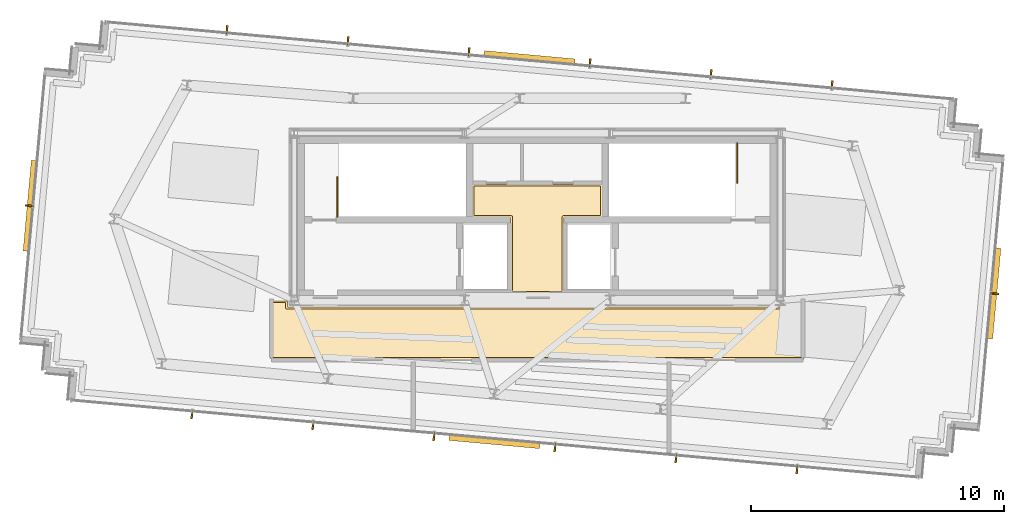
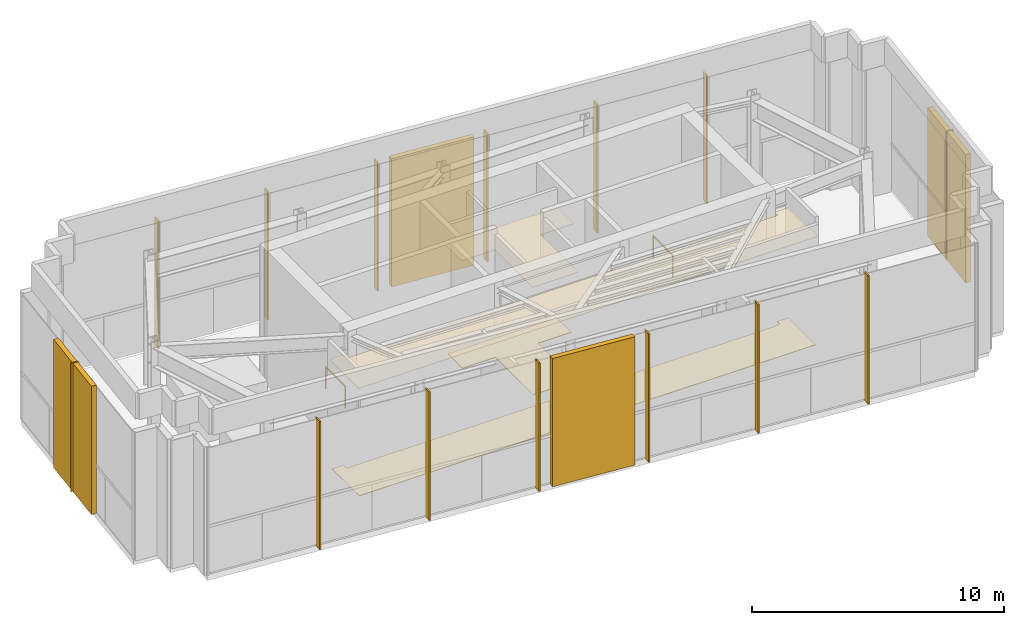
# One storey, part 17 of 18: 18 shading devices, 4 coverings, 2 railings.
"""IFC4 building model written with IfcOpenShell, lengths in metres."""

import ifcopenshell
import ifcopenshell.guid

model = None  # the IFC model being written
_history = None  # IfcOwnerHistory: only IFC2X3 demands one
_inside = {}  # id of a spatial element -> (the spatial element, [elements in it])
_under = {}  # id of a project, library or spatial element -> (it, [spatial elements below it])
_declared = {}  # id of a project -> (the project, [libraries it declares])
_typed = {}  # id of a type object -> (the type object, [elements of that type])
_made_of = {}  # id of a material, layer set ... -> (it, [elements and type objects made of it])


def new_model(schema):
    """Start an empty IFC model of exactly this schema.

    Asked for "IFC4X3", IfcOpenShell would pick the latest addendum, in which some entities
    have other attributes; the version numbers below select the first issue.
    IFC2X3 requires an IfcOwnerHistory on every rooted entity: one is made here for all.
    """
    global model, _history
    if schema == "IFC4X3":
        model = ifcopenshell.file(schema_version=(4, 3, 0, 0))
    else:
        model = ifcopenshell.file(schema=schema)
    _inside.clear()
    _under.clear()
    _declared.clear()
    _typed.clear()
    _made_of.clear()
    _history = None
    if model.schema == "IFC2X3":
        org = make("IfcOrganization", Name="unknown")
        user = make(
            "IfcPersonAndOrganization",
            ThePerson=make("IfcPerson", FamilyName="unknown"),
            TheOrganization=org,
        )
        app = make(
            "IfcApplication",
            ApplicationDeveloper=org,
            Version="unknown",
            ApplicationFullName="unknown",
            ApplicationIdentifier="unknown",
        )
        _history = make(
            "IfcOwnerHistory",
            OwningUser=user,
            OwningApplication=app,
            ChangeAction="ADDED",
            CreationDate=0,
        )
    return model


def make(cls, **values):
    """One entity of the class cls with the attributes given. An attribute that is None is left unset."""
    return model.create_entity(
        cls, **{name: value for name, value in values.items() if value is not None}
    )


def rooted(cls, **values):
    """An entity with a GlobalId (a new one), such as an element, a storey or a relation."""
    return make(cls, GlobalId=ifcopenshell.guid.new(), OwnerHistory=_history, **values)


def si_unit(unit_type, name, prefix=None):
    """IfcSIUnit, for example si_unit("LENGTHUNIT", "METRE", prefix="MILLI")."""
    return make("IfcSIUnit", UnitType=unit_type, Prefix=prefix, Name=name)


def assignment(units):
    """IfcUnitAssignment: the units of a project."""
    return None if units is None else make("IfcUnitAssignment", Units=units)


def point(xyz):
    """IfcCartesianPoint."""
    return None if xyz is None else make("IfcCartesianPoint", Coordinates=xyz)


def direction(xyz):
    """IfcDirection."""
    return None if xyz is None else make("IfcDirection", DirectionRatios=xyz)


def frame(location, z_axis=None, x_axis=None):
    """IfcAxis2Placement3D, a coordinate frame: its origin and axes. An axis left out is left unset."""
    return make(
        "IfcAxis2Placement3D",
        Location=point(location),
        Axis=direction(z_axis),
        RefDirection=direction(x_axis),
    )


def frame_2d(location, x_axis=None):
    """IfcAxis2Placement2D, a coordinate frame in the plane: its origin and x axis."""
    return make(
        "IfcAxis2Placement2D", Location=point(location), RefDirection=direction(x_axis)
    )


def origin():
    """The frame at (0, 0, 0) with its axes left unset."""
    return frame((0.0, 0.0, 0.0))


def origin_2d():
    """The frame at (0, 0) in the plane with its x axis left unset."""
    return frame_2d((0.0, 0.0))


def place(relative_to, where):
    """IfcLocalPlacement: puts the frame where relative to a parent placement (None: the world)."""
    return make(
        "IfcLocalPlacement", PlacementRelTo=relative_to, RelativePlacement=where
    )


def context(
    kind, dimensions, precision=None, world=None, true_north=None, identifier=None
):
    """IfcGeometricRepresentationContext, for example the 3D "Model" context."""
    return make(
        "IfcGeometricRepresentationContext",
        ContextIdentifier=identifier,
        ContextType=kind,
        CoordinateSpaceDimension=dimensions,
        Precision=precision,
        WorldCoordinateSystem=world,
        TrueNorth=true_north,
    )


def subcontext(parent, identifier, kind, view, scale=None):
    """IfcGeometricRepresentationSubContext, for example "Body" below "Model"."""
    return make(
        "IfcGeometricRepresentationSubContext",
        ContextIdentifier=identifier,
        ContextType=kind,
        ParentContext=parent,
        TargetScale=scale,
        TargetView=view,
    )


def project(units=None, contexts=None):
    """IfcProject with its units and contexts."""
    return rooted(
        "IfcProject",
        Name="project",
        RepresentationContexts=contexts,
        UnitsInContext=assignment(units),
    )


def spatial(cls, under=None, at=None, **own):
    """A site, building, storey or space (cls), placed at a placement, below another one or the project."""
    s = rooted(cls, ObjectPlacement=at, **own)
    if under is not None:
        _under.setdefault(under.id(), (under, []))[1].append(s)
    return s


def polyline(points):
    """IfcPolyline through the points."""
    return make("IfcPolyline", Points=[point(p) for p in points])


def profile(cls, at=None, kind="AREA", **sizes):
    """A parametric profile (cls). Its sizes go by their IFC names, for example OverallWidth=200.0."""
    return make(cls, ProfileType=kind, Position=at, **sizes)


def rectangle(**sizes):
    """IfcRectangleProfileDef."""
    return profile("IfcRectangleProfileDef", **sizes)


def outline(outer, holes=None, kind="AREA"):
    """IfcArbitraryClosedProfileDef: a profile drawn as a closed curve; with holes, ...WithVoids."""
    if holes is None:
        return make("IfcArbitraryClosedProfileDef", ProfileType=kind, OuterCurve=outer)
    return make(
        "IfcArbitraryProfileDefWithVoids",
        ProfileType=kind,
        OuterCurve=outer,
        InnerCurves=holes,
    )


def extrude(swept, where, along, depth):
    """IfcExtrudedAreaSolid: the profile swept, set in the frame where, extruded along a direction by depth."""
    return make(
        "IfcExtrudedAreaSolid",
        SweptArea=swept,
        Position=where,
        ExtrudedDirection=direction(along),
        Depth=depth,
    )


def shape(context_of_items, identifier, shape_type, items):
    """IfcShapeRepresentation: the items that make up one representation, for example the "Body"."""
    return make(
        "IfcShapeRepresentation",
        ContextOfItems=context_of_items,
        RepresentationIdentifier=identifier,
        RepresentationType=shape_type,
        Items=items,
    )


def source(mapping_origin, context_of_items, identifier, shape_type, items):
    """IfcRepresentationMap: a shape defined once, which mapped items show again and again."""
    return make(
        "IfcRepresentationMap",
        MappingOrigin=mapping_origin,
        MappedRepresentation=shape(context_of_items, identifier, shape_type, items),
    )


def transform(
    local_origin,
    x_axis=None,
    y_axis=None,
    z_axis=None,
    scale=None,
    scale2=None,
    scale3=None,
    uniform=True,
):
    """IfcCartesianTransformationOperator3D, or its non-uniform kind. x_axis, y_axis, z_axis: its Axis1, 2, 3."""
    if uniform:
        return make(
            "IfcCartesianTransformationOperator3D",
            Axis1=direction(x_axis),
            Axis2=direction(y_axis),
            LocalOrigin=point(local_origin),
            Scale=scale,
            Axis3=direction(z_axis),
        )
    return make(
        "IfcCartesianTransformationOperator3DnonUniform",
        Axis1=direction(x_axis),
        Axis2=direction(y_axis),
        LocalOrigin=point(local_origin),
        Scale=scale,
        Axis3=direction(z_axis),
        Scale2=scale2,
        Scale3=scale3,
    )


def mapped(mapping_source, mapping_target):
    """IfcMappedItem: shows the shape of a source again, moved by a transform."""
    return make(
        "IfcMappedItem", MappingSource=mapping_source, MappingTarget=mapping_target
    )


def material(Name=None, Category=None):
    """IfcMaterial."""
    return make("IfcMaterial", Name=Name, Category=Category)


def layer(
    of_material, thickness, ventilated=None, Name=None, Category=None, Priority=None
):
    """IfcMaterialLayer: one layer of a wall or slab, of a material (None: an air gap)."""
    return make(
        "IfcMaterialLayer",
        Material=of_material,
        LayerThickness=thickness,
        IsVentilated=ventilated,
        Name=Name,
        Category=Category,
        Priority=Priority,
    )


def layer_set(layers, Name=None):
    """IfcMaterialLayerSet."""
    return make("IfcMaterialLayerSet", MaterialLayers=layers, LayerSetName=Name)


def made_of(thing, what):
    """Note that an element or type object is made of a material, layer set ...; save() writes the relation."""
    if what is not None:
        _made_of.setdefault(what.id(), (what, []))[1].append(thing)
    return thing


def type_object(cls, material=None, **own):
    """A type object (cls), such as IfcWallType, which elements share."""
    return made_of(rooted(cls, **own), material)


def type_shapes(of_type, sources):
    """Give a type object the sources (RepresentationMaps) that its elements show as mapped items."""
    of_type.RepresentationMaps = sources


def element(
    cls,
    number,
    at=None,
    inside=None,
    cuts=None,
    type_object=None,
    material=None,
    context=None,
    identifier="Body",
    shape_type=None,
    held_by="IfcProductDefinitionShape",
    body=None,
    shapes=None,
    **own,
):
    """One element of the class cls, such as IfcWall. Its Tag is "e" and its number.

    at: its placement. inside: the storey or other place that contains it. cuts: it is an
    opening in that element (IfcRelVoidsElement). A single representation is given by context,
    identifier, shape_type and body (its items); several are given by shapes. held_by: the class
    of the entity that holds the representations. save() writes the other relations.
    """
    e = rooted(cls, Tag="e%d" % number, ObjectPlacement=at, **own)
    if body is not None:
        shapes = [shape(context, identifier, shape_type, body)]
    if shapes is not None:
        e.Representation = make(held_by, Representations=shapes)
    if inside is not None:
        _inside.setdefault(inside.id(), (inside, []))[1].append(e)
    if cuts is not None:
        rooted(
            "IfcRelVoidsElement", RelatingBuildingElement=cuts, RelatedOpeningElement=e
        )
    if type_object is not None:
        _typed.setdefault(type_object.id(), (type_object, []))[1].append(e)
    return made_of(e, material)


def aggregate(whole, parts):
    """IfcRelAggregates: a whole, such as a stair, and the parts it consists of."""
    return rooted("IfcRelAggregates", RelatingObject=whole, RelatedObjects=parts)


def save(model, path):
    """Write the relations noted so far, then the file.

    IfcRelAggregates (storeys below a building ...), IfcRelContainedInSpatialStructure (elements
    in a storey), IfcRelDefinesByType, IfcRelAssociatesMaterial and IfcRelDeclares: one each for
    every whole, place, type object, material and project.
    """
    for whole, parts in _under.values():
        aggregate(whole, parts)
    for where, things in _inside.values():
        rooted(
            "IfcRelContainedInSpatialStructure",
            RelatedElements=things,
            RelatingStructure=where,
        )
    for kind, things in _typed.values():
        rooted("IfcRelDefinesByType", RelatedObjects=things, RelatingType=kind)
    for what, things in _made_of.values():
        rooted("IfcRelAssociatesMaterial", RelatedObjects=things, RelatingMaterial=what)
    for by, libraries in _declared.values():
        rooted("IfcRelDeclares", RelatingContext=by, RelatedDefinitions=libraries)
    model.write(path)


model = new_model("IFC4")

# Units and contexts
model_context = context("Model", 3, precision=1e-05, world=origin(), true_north=direction((0.0, 1.0)))
body_context = subcontext(model_context, "Body", "Model", "MODEL_VIEW")
ifc_project = project(units=[si_unit("LENGTHUNIT", "METRE"), si_unit("AREAUNIT", "SQUARE_METRE"), si_unit("VOLUMEUNIT", "CUBIC_METRE"), si_unit("PLANEANGLEUNIT", "RADIAN"), si_unit("MASSUNIT", "GRAM", prefix="KILO")], contexts=[model_context])

# Site, building, storey
site_placement = place(None, origin())
site = spatial("IfcSite", under=ifc_project, at=site_placement, CompositionType="ELEMENT")
building_placement = place(site_placement, origin())
building = spatial("IfcBuilding", under=site, at=building_placement, Name="Astriad Promenade Condominiums", CompositionType="ELEMENT")
storey_placement = place(building_placement, frame((0.0, 0.0, 290.300048828125)))
storey = spatial("IfcBuildingStorey", under=building, at=storey_placement, Name="L80", CompositionType="ELEMENT", Elevation=290.300048828125)

# Coverings
ifc_material_1 = material(Name="Mineral-Fibre Acoustic Ceiling Tile")
ifc_layer_1 = layer(ifc_material_1, 0.02490234375)
ifc_layer_set_1 = layer_set([ifc_layer_1], Name="Mineral-Fibre Acoustic Ceiling Tile")
covering_type_1 = type_object("IfcCoveringType", Name="COV-CEIL-ACOUSTIC-25", PredefinedType="CEILING", material=ifc_layer_set_1)
covering_1_placement = place(storey_placement, frame((0.0, 0.0, 5.27490234375)))
element("IfcCovering", 1, at=covering_1_placement, inside=storey, type_object=covering_type_1, Name="CEIL-L80-CSL", PredefinedType="CEILING", context=body_context, shape_type="SweptSolid", body=[
    extrude(outline(polyline([(37.050048828125, 17.699951171875), (37.0498046875, 17.697021484375), (37.04931640625, 17.694091796875), (37.048583984375, 17.69140625), (37.047607421875, 17.6884765625), (37.04638671875, 17.685791015625), (37.044921875, 17.683349609375), (37.043212890625, 17.680908203125), (37.041259765625, 17.6787109375), (37.0390625, 17.6767578125), (37.03662109375, 17.675048828125), (37.0341796875, 17.673583984375), (37.031494140625, 17.67236328125), (37.02880859375, 17.67138671875), (37.02587890625, 17.670654296875), (37.02294921875, 17.670166015625), (37.02001953125, 17.669921875), (34.97998046875, 17.669921875), (34.97705078125, 17.670166015625), (34.97412109375, 17.670654296875), (34.97119140625, 17.67138671875), (34.968505859375, 17.67236328125), (34.9658203125, 17.673583984375), (34.96337890625, 17.675048828125), (34.9609375, 17.6767578125), (34.958740234375, 17.6787109375), (34.956787109375, 17.680908203125), (34.955078125, 17.683349609375), (34.95361328125, 17.685791015625), (34.952392578125, 17.6884765625), (34.951416015625, 17.69140625), (34.95068359375, 17.694091796875), (34.9501953125, 17.697021484375), (34.949951171875, 17.699951171875), (34.949951171875, 20.669921875), (33.4599609375, 20.669921875), (33.45703125, 20.670166015625), (33.4541015625, 20.670654296875), (33.451416015625, 20.67138671875), (33.448486328125, 20.67236328125), (33.44580078125, 20.673583984375), (33.443359375, 20.675048828125), (33.44091796875, 20.6767578125), (33.438720703125, 20.6787109375), (33.436767578125, 20.680908203125), (33.43505859375, 20.683349609375), (33.43359375, 20.685791015625), (33.432373046875, 20.6884765625), (33.431396484375, 20.69140625), (33.4306640625, 20.694091796875), (33.43017578125, 20.697021484375), (33.429931640625, 20.699951171875), (33.429931640625, 21.949951171875), (33.43017578125, 21.952880859375), (33.4306640625, 21.955810546875), (33.431396484375, 21.958740234375), (33.432373046875, 21.96142578125), (33.43359375, 21.964111328125), (33.43505859375, 21.966796875), (33.436767578125, 21.968994140625), (33.438720703125, 21.97119140625), (33.44091796875, 21.97314453125), (33.443359375, 21.974853515625), (33.44580078125, 21.9765625), (33.448486328125, 21.977783203125), (33.451416015625, 21.978759765625), (33.4541015625, 21.9794921875), (33.45703125, 21.97998046875), (33.4599609375, 21.97998046875), (38.5400390625, 21.97998046875), (38.54296875, 21.97998046875), (38.5458984375, 21.9794921875), (38.548583984375, 21.978759765625), (38.551513671875, 21.977783203125), (38.55419921875, 21.9765625), (38.556640625, 21.974853515625), (38.55908203125, 21.97314453125), (38.561279296875, 21.97119140625), (38.563232421875, 21.968994140625), (38.56494140625, 21.966796875), (38.56640625, 21.964111328125), (38.567626953125, 21.96142578125), (38.568603515625, 21.958740234375), (38.5693359375, 21.955810546875), (38.56982421875, 21.952880859375), (38.570068359375, 21.949951171875), (38.570068359375, 20.699951171875), (38.56982421875, 20.697021484375), (38.5693359375, 20.694091796875), (38.568603515625, 20.69140625), (38.567626953125, 20.6884765625), (38.56640625, 20.685791015625), (38.56494140625, 20.683349609375), (38.563232421875, 20.680908203125), (38.561279296875, 20.6787109375), (38.55908203125, 20.6767578125), (38.556640625, 20.675048828125), (38.55419921875, 20.673583984375), (38.551513671875, 20.67236328125), (38.548583984375, 20.67138671875), (38.5458984375, 20.670654296875), (38.54296875, 20.670166015625), (38.5400390625, 20.669921875), (37.050048828125, 20.669921875), (37.050048828125, 17.699951171875)])), origin(), (0.0, 0.0, 1.0), 0.025146484375),
])
covering_2_placement = place(storey_placement, frame((0.0, 0.0, 5.27490234375)))
element("IfcCovering", 2, at=covering_2_placement, inside=storey, type_object=covering_type_1, Name="CEIL-L80-COR", PredefinedType="CEILING", context=body_context, shape_type="SweptSolid", body=[
    extrude(outline(polyline([(26.1298828125, 17.1298828125), (45.8701171875, 17.1298828125), (45.8701171875, 17.35009765625), (45.8701171875, 17.352783203125), (45.87060546875, 17.35595703125), (45.871337890625, 17.358642578125), (45.872314453125, 17.361572265625), (45.87353515625, 17.364013671875), (45.875, 17.36669921875), (45.876708984375, 17.368896484375), (45.87890625, 17.37109375), (45.881103515625, 17.373291015625), (45.88330078125, 17.375), (45.885986328125, 17.37646484375), (45.888427734375, 17.377685546875), (45.891357421875, 17.378662109375), (45.89404296875, 17.37939453125), (45.897216796875, 17.3798828125), (45.89990234375, 17.3798828125), (46.5, 17.3798828125), (46.5029296875, 17.3798828125), (46.505859375, 17.37939453125), (46.5087890625, 17.378662109375), (46.511474609375, 17.377685546875), (46.51416015625, 17.37646484375), (46.5166015625, 17.375), (46.51904296875, 17.373291015625), (46.521240234375, 17.37109375), (46.523193359375, 17.368896484375), (46.52490234375, 17.36669921875), (46.526611328125, 17.364013671875), (46.527587890625, 17.361572265625), (46.52880859375, 17.358642578125), (46.529296875, 17.35595703125), (46.52978515625, 17.352783203125), (46.530029296875, 17.35009765625), (46.530029296875, 15.10009765625), (46.52978515625, 15.09716796875), (46.529296875, 15.093994140625), (46.52880859375, 15.09130859375), (46.527587890625, 15.08837890625), (46.526611328125, 15.0859375), (46.52490234375, 15.083251953125), (46.523193359375, 15.0810546875), (46.521240234375, 15.078857421875), (46.51904296875, 15.076904296875), (46.5166015625, 15.0751953125), (46.51416015625, 15.073486328125), (46.511474609375, 15.072265625), (46.5087890625, 15.0712890625), (46.505859375, 15.070556640625), (46.5029296875, 15.070068359375), (46.5, 15.070068359375), (25.5, 15.070068359375), (25.4970703125, 15.070068359375), (25.494140625, 15.070556640625), (25.4912109375, 15.0712890625), (25.488525390625, 15.072265625), (25.48583984375, 15.073486328125), (25.4833984375, 15.0751953125), (25.48095703125, 15.076904296875), (25.478759765625, 15.078857421875), (25.476806640625, 15.0810546875), (25.47509765625, 15.083251953125), (25.473388671875, 15.0859375), (25.472412109375, 15.08837890625), (25.47119140625, 15.09130859375), (25.470703125, 15.093994140625), (25.47021484375, 15.09716796875), (25.469970703125, 15.10009765625), (25.469970703125, 17.35009765625), (25.47021484375, 17.352783203125), (25.470703125, 17.35595703125), (25.47119140625, 17.358642578125), (25.472412109375, 17.361572265625), (25.473388671875, 17.364013671875), (25.47509765625, 17.36669921875), (25.476806640625, 17.368896484375), (25.478759765625, 17.37109375), (25.48095703125, 17.373291015625), (25.4833984375, 17.375), (25.48583984375, 17.37646484375), (25.488525390625, 17.377685546875), (25.4912109375, 17.378662109375), (25.494140625, 17.37939453125), (25.4970703125, 17.3798828125), (25.5, 17.3798828125), (26.10009765625, 17.3798828125), (26.102783203125, 17.3798828125), (26.10595703125, 17.37939453125), (26.108642578125, 17.378662109375), (26.111572265625, 17.377685546875), (26.114013671875, 17.37646484375), (26.11669921875, 17.375), (26.118896484375, 17.373291015625), (26.12109375, 17.37109375), (26.123291015625, 17.368896484375), (26.125, 17.36669921875), (26.12646484375, 17.364013671875), (26.127685546875, 17.361572265625), (26.128662109375, 17.358642578125), (26.12939453125, 17.35595703125), (26.1298828125, 17.352783203125), (26.1298828125, 17.35009765625), (26.1298828125, 17.1298828125)])), origin(), (0.0, 0.0, 1.0), 0.025146484375),
])
ifc_material_2 = material(Name="Polished Lakefront Terrazzo Flooring")
ifc_layer_2 = layer(ifc_material_2, 0.02001953125)
ifc_layer_set_2 = layer_set([ifc_layer_2], Name="Polished Lakefront Terrazzo Flooring")
covering_type_2 = type_object("IfcCoveringType", Name="COV-FLOR-TERRAZZO-20", PredefinedType="FLOORING", material=ifc_layer_set_2)
covering_3_placement = place(storey_placement, origin())
element("IfcCovering", 3, at=covering_3_placement, inside=storey, type_object=covering_type_2, Name="FLR-L80-CSL", PredefinedType="FLOORING", context=body_context, shape_type="SweptSolid", body=[
    extrude(outline(polyline([(36.97998046875, 20.699951171875), (36.97998046875, 17.739990234375), (35.02001953125, 17.739990234375), (35.02001953125, 20.699951171875), (35.019775390625, 20.703857421875), (35.019287109375, 20.707763671875), (35.018310546875, 20.711669921875), (35.01708984375, 20.71533203125), (35.015380859375, 20.718994140625), (35.01318359375, 20.72216796875), (35.010986328125, 20.725341796875), (35.00830078125, 20.728271484375), (35.00537109375, 20.73095703125), (35.002197265625, 20.7333984375), (34.998779296875, 20.7353515625), (34.995361328125, 20.737060546875), (34.99169921875, 20.73828125), (34.98779296875, 20.7392578125), (34.98388671875, 20.73974609375), (34.97998046875, 20.739990234375), (33.5, 20.739990234375), (33.5, 21.909912109375), (38.5, 21.909912109375), (38.5, 20.739990234375), (37.02001953125, 20.739990234375), (37.01611328125, 20.73974609375), (37.01220703125, 20.7392578125), (37.00830078125, 20.73828125), (37.004638671875, 20.737060546875), (37.001220703125, 20.7353515625), (36.997802734375, 20.7333984375), (36.99462890625, 20.73095703125), (36.99169921875, 20.728271484375), (36.989013671875, 20.725341796875), (36.98681640625, 20.72216796875), (36.984619140625, 20.718994140625), (36.98291015625, 20.71533203125), (36.981689453125, 20.711669921875), (36.980712890625, 20.707763671875), (36.980224609375, 20.703857421875), (36.97998046875, 20.699951171875)])), origin(), (0.0, 0.0, 1.0), 0.02001953125),
])
covering_4_placement = place(storey_placement, origin())
element("IfcCovering", 4, at=covering_4_placement, inside=storey, type_object=covering_type_2, Name="FLR-L80-COR", PredefinedType="FLOORING", context=body_context, shape_type="SweptSolid", body=[
    extrude(outline(polyline([(26.06005859375, 17.31005859375), (26.06005859375, 17.10009765625), (26.060302734375, 17.09619140625), (26.060791015625, 17.09228515625), (26.061767578125, 17.08837890625), (26.06298828125, 17.084716796875), (26.064697265625, 17.0810546875), (26.066650390625, 17.077880859375), (26.069091796875, 17.07470703125), (26.07177734375, 17.07177734375), (26.07470703125, 17.069091796875), (26.077880859375, 17.066650390625), (26.0810546875, 17.064697265625), (26.084716796875, 17.06298828125), (26.08837890625, 17.061767578125), (26.09228515625, 17.060791015625), (26.09619140625, 17.060302734375), (26.10009765625, 17.06005859375), (45.89990234375, 17.06005859375), (45.90380859375, 17.060302734375), (45.90771484375, 17.060791015625), (45.91162109375, 17.061767578125), (45.915283203125, 17.06298828125), (45.9189453125, 17.064697265625), (45.922119140625, 17.066650390625), (45.92529296875, 17.069091796875), (45.92822265625, 17.07177734375), (45.930908203125, 17.07470703125), (45.933349609375, 17.077880859375), (45.935302734375, 17.0810546875), (45.93701171875, 17.084716796875), (45.938232421875, 17.08837890625), (45.939208984375, 17.09228515625), (45.939697265625, 17.09619140625), (45.93994140625, 17.10009765625), (45.93994140625, 17.31005859375), (46.4599609375, 17.31005859375), (46.4599609375, 15.139892578125), (25.5400390625, 15.139892578125), (25.5400390625, 17.31005859375), (26.06005859375, 17.31005859375)])), origin(), (0.0, 0.0, 1.0), 0.02001953125),
])

# Shading devices
ifc_material_3 = material(Name="Anodised aluminium 6063-T6 Black Fin", Category="aluminium")
shading_device_type_1 = type_object("IfcShadingDeviceType", Name="FIN-BLACK-260", PredefinedType="USERDEFINED", material=ifc_material_3)
shared_shape_1 = source(origin(), body_context, "Body", "SweptSolid", [
    extrude(rectangle(XDim=0.06494140625, YDim=0.320068359375, at=origin_2d()), origin(), (0.0, 0.0, 1.0), 6.219970703125),
])
type_shapes(shading_device_type_1, [shared_shape_1])
for number, where, z_axis, x_axis, name in (
    (5, (15.938720703125, 21.134765625, 0.0), (0.0, 0.0, 1.0), (0.090632580198, 0.995884398616, 0.0), "CW-CRN-L80-03-FIN-01"),
    (6, (23.74169921875, 28.09619140625, 0.0), (0.0, 0.0, 1.0), (0.995884398616, -0.090632580198, 0.0), "CW-CRN-L80-08-FIN-01"),
    (7, (28.522216796875, 27.6611328125, 0.0), (0.0, 0.0, 1.0), (0.995884398616, -0.090632580198, 0.0), "CW-CRN-L80-08-FIN-02"),
    (8, (33.30224609375, 27.22607421875, 0.0), (0.0, 0.0, 1.0), (0.995884398616, -0.090632580198, 0.0), "CW-CRN-L80-08-FIN-03"),
    (9, (38.08251953125, 26.791015625, 0.0), (0.0, 0.0, 1.0), (0.995884398616, -0.090632580198, 0.0), "CW-CRN-L80-08-FIN-04"),
    (10, (42.86279296875, 26.35595703125, 0.0), (0.0, 0.0, 1.0), (0.995884398616, -0.090632580198, 0.0), "CW-CRN-L80-08-FIN-05"),
    (11, (47.64306640625, 25.9208984375, 0.0), (0.0, 0.0, 1.0), (0.995884398616, -0.090632580198, 0.0), "CW-CRN-L80-08-FIN-06"),
    (12, (54.061279296875, 17.665283203125, 0.0), (0.0, 0.0, 1.0), (-0.090632580198, -0.995884398616, 0.0), "CW-CRN-L80-13-FIN-01"),
    (13, (46.25830078125, 10.703857421875, 0.0), (0.0, 0.0, 1.0), (-0.995884398616, 0.090632580198, 0.0), "CW-CRN-L80-18-FIN-01"),
    (14, (41.477783203125, 11.138916015625, 0.0), (0.0, 0.0, 1.0), (-0.995884398616, 0.090632580198, 0.0), "CW-CRN-L80-18-FIN-02"),
    (15, (36.69775390625, 11.573974609375, 0.0), (0.0, 0.0, 1.0), (-0.995884398616, 0.090632580198, 0.0), "CW-CRN-L80-18-FIN-03"),
    (16, (31.91748046875, 12.009033203125, 0.0), (0.0, 0.0, 1.0), (-0.995884398616, 0.090632580198, 0.0), "CW-CRN-L80-18-FIN-04"),
    (17, (27.13720703125, 12.444091796875, 0.0), (0.0, 0.0, 1.0), (-0.995884398616, 0.090632580198, 0.0), "CW-CRN-L80-18-FIN-05"),
    (18, (22.35693359375, 12.879150390625, 0.0), (0.0, 0.0, 1.0), (-0.995884398616, 0.090632580198, 0.0), "CW-CRN-L80-18-FIN-06"),
):
    element("IfcShadingDevice", number, at=place(storey_placement, frame(where, z_axis=z_axis, x_axis=x_axis)), inside=storey, type_object=shading_device_type_1, Name=name, ObjectType="FIN", PredefinedType="USERDEFINED", context=body_context, shape_type="MappedRepresentation", body=[
        mapped(shared_shape_1, transform((0.0, 0.0, 0.0), scale=1.0)),
    ])
ifc_material_4 = material(Name="Anodised aluminium 6063-T6 Black Louvre", Category="aluminium")
shading_device_type_2 = type_object("IfcShadingDeviceType", Name="LOUVRE-ACOUSTIC-220", PredefinedType="JALOUSIE", material=ifc_material_4)
shared_shape_2 = source(origin(), body_context, "Body", "SweptSolid", [
    extrude(rectangle(XDim=3.60009765625, YDim=0.219970703125, at=origin_2d()), origin(), (0.0, 0.0, 1.0), 6.219970703125),
])
type_shapes(shading_device_type_2, [shared_shape_2])
for number, where, z_axis, x_axis, name in (
    (19, (15.958740234375, 21.1328125, 0.0), (0.0, 0.0, 1.0), (0.090632580198, 0.995884398616, 0.0), "LVR-CRN-L80-03"),
    (20, (35.690673828125, 26.988525390625, 0.0), (0.0, 0.0, 1.0), (0.995884398616, -0.090632580198, 0.0), "LVR-CRN-L80-08"),
    (21, (54.041259765625, 17.6669921875, 0.0), (0.0, 0.0, 1.0), (-0.090632580198, -0.995884398616, 0.0), "LVR-CRN-L80-13"),
    (22, (34.309326171875, 11.811279296875, 0.0), (0.0, 0.0, 1.0), (-0.995884398616, 0.090632580198, 0.0), "LVR-CRN-L80-18"),
):
    element("IfcShadingDevice", number, at=place(storey_placement, frame(where, z_axis=z_axis, x_axis=x_axis)), inside=storey, type_object=shading_device_type_2, Name=name, PredefinedType="JALOUSIE", context=body_context, shape_type="MappedRepresentation", body=[
        mapped(shared_shape_2, transform((0.0, 0.0, 0.0), scale=1.0)),
    ])

# Railings
ifc_material_5 = material(Name="Painted Galvanised Steel Guardrail", Category="steel")
railing_type = type_object("IfcRailingType", Name="GRD-STAIR-1100", PredefinedType="GUARDRAIL", material=ifc_material_5)
shared_shape_3 = source(origin(), body_context, "Body", "SweptSolid", [
    extrude(rectangle(XDim=0.048095703125, YDim=0.048095703125, at=origin_2d()), frame((0.0, 0.0, 1.076171875), z_axis=(0.0, 1.0, 0.0), x_axis=(-1.0, 0.0, 0.0)), (0.0, 0.0, 1.0), 1.550048828125),
    extrude(rectangle(XDim=0.0419921875, YDim=0.0419921875, at=origin_2d()), origin(), (0.0, 0.0, 1.0), 1.052001953125),
    extrude(rectangle(XDim=0.0419921875, YDim=0.0419921875, at=origin_2d()), frame((0.0, 1.550048828125, 0.0)), (0.0, 0.0, 1.0), 1.052001953125),
])
railing_1_placement = place(storey_placement, frame((28.10009765625, 20.699951171875, 0.0)))
element("IfcRailing", 23, at=railing_1_placement, inside=storey, type_object=railing_type, Name="L80 ST-1 top well guard 1", PredefinedType="GUARDRAIL", context=body_context, shape_type="MappedRepresentation", body=[
    mapped(shared_shape_3, transform((0.0, 0.0, 0.0), scale=1.0)),
])
shared_shape_4 = source(origin(), body_context, "Body", "SweptSolid", [
    extrude(rectangle(XDim=0.048095703125, YDim=0.048095703125, at=origin_2d()), frame((0.0, 0.0, 1.076171875), z_axis=(0.0, -1.0, 0.0), x_axis=(1.0, 0.0, 0.0)), (0.0, 0.0, 1.0), 1.550048828125),
    extrude(rectangle(XDim=0.0419921875, YDim=0.0419921875, at=origin_2d()), origin(), (0.0, 0.0, 1.0), 1.052001953125),
    extrude(rectangle(XDim=0.0419921875, YDim=0.0419921875, at=origin_2d()), frame((0.0, -1.550048828125, 0.0)), (0.0, 0.0, 1.0), 1.052001953125),
])
type_shapes(railing_type, [shared_shape_3, shared_shape_4])
railing_2_placement = place(storey_placement, frame((43.89990234375, 23.60009765625, 0.0)))
element("IfcRailing", 24, at=railing_2_placement, inside=storey, type_object=railing_type, Name="L80 ST-2 top well guard 1", PredefinedType="GUARDRAIL", context=body_context, shape_type="MappedRepresentation", body=[
    mapped(shared_shape_4, transform((0.0, 0.0, 0.0), scale=1.0)),
])

save(model, "model.ifc")
